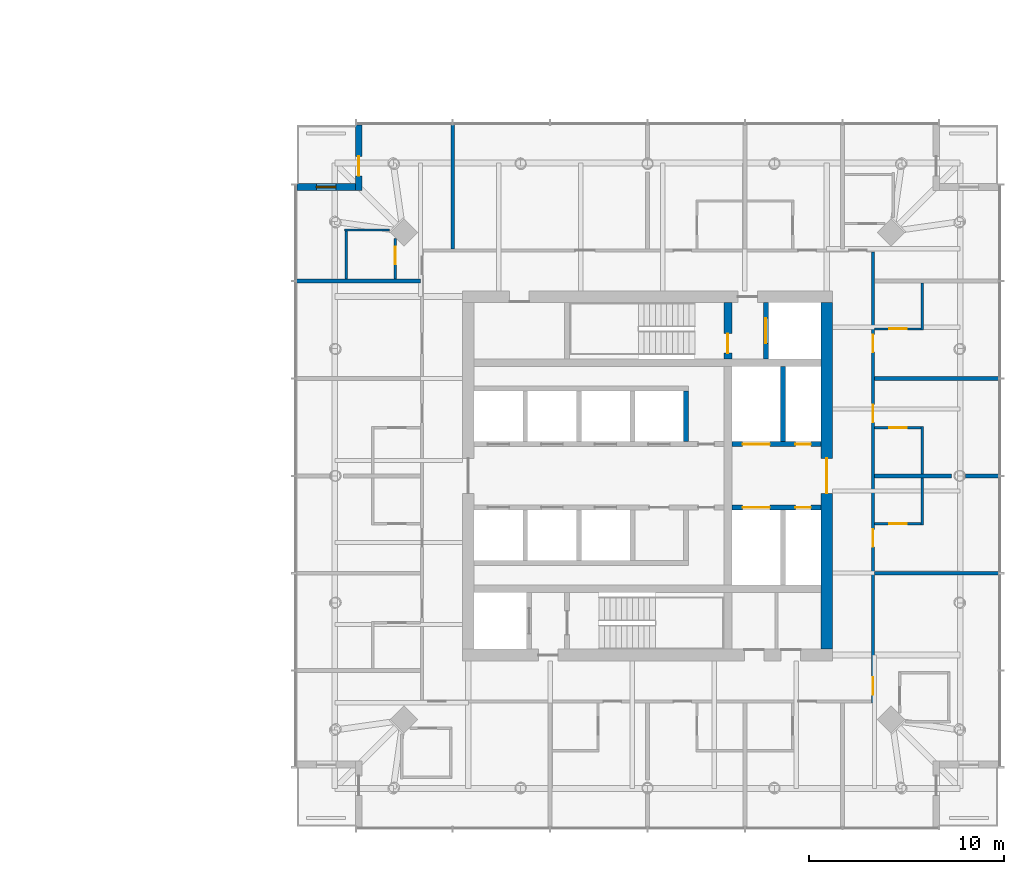
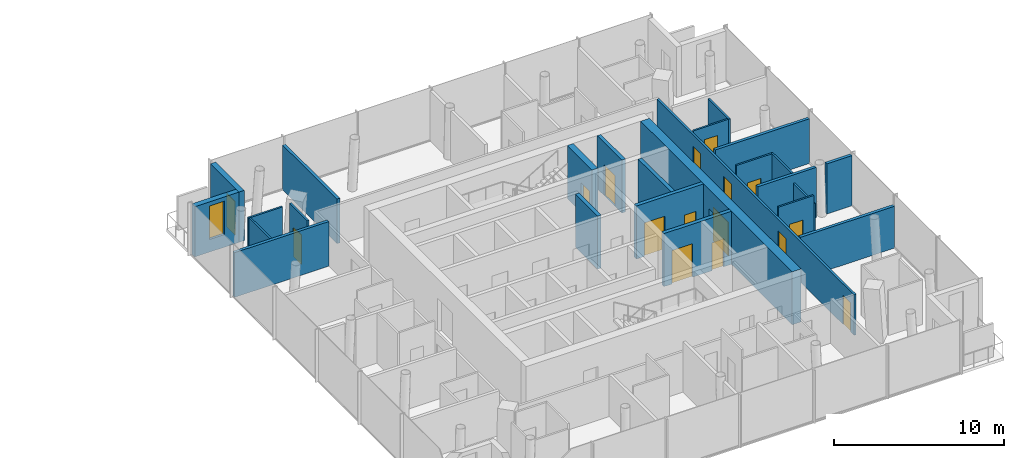
# One storey, part 15 of 27: 25 walls, 16 doors, 1 window, 17 openings.
"""IFC4 building model written with IfcOpenShell, lengths in metres."""

from ifc_helpers import new_model, si_unit, direction, frame, frame_2d, origin, place, context, subcontext, project, spatial, rectangle, extrude, material, layer, layer_set, type_object, element, fill, save


model = new_model("IFC4")

# Units and contexts
model_context = context("Model", 3, precision=1e-05, world=origin(), true_north=direction((0.0, 1.0)))
body_context = subcontext(model_context, "Body", "Model", "MODEL_VIEW")
ifc_project = project(units=[si_unit("LENGTHUNIT", "METRE"), si_unit("AREAUNIT", "SQUARE_METRE"), si_unit("VOLUMEUNIT", "CUBIC_METRE"), si_unit("PLANEANGLEUNIT", "RADIAN"), si_unit("MASSUNIT", "GRAM", prefix="KILO")], contexts=[model_context])

# Site, building, storey
site_placement = place(None, origin())
site = spatial("IfcSite", under=ifc_project, at=site_placement, CompositionType="ELEMENT")
building_placement = place(site_placement, origin())
building = spatial("IfcBuilding", under=site, at=building_placement, Name="Ostroluk Exchange", CompositionType="ELEMENT")
storey_placement = place(building_placement, frame((0.0, 0.0, 89.39990234375)))
storey = spatial("IfcBuildingStorey", under=building, at=storey_placement, Name="L22", CompositionType="ELEMENT", Elevation=89.39990234375)

# Wall, opening, door
ifc_material_1 = material(Name="Concrete C50/60", Category="concrete")
ifc_layer_1 = layer(ifc_material_1, 0.39990234375)
ifc_layer_set_1 = layer_set([ifc_layer_1], Name="Core cross wall 400 C50/60")
wall_type_1 = type_object("IfcWallType", Name="Core cross wall 400 C50/60", PredefinedType="SHEAR", material=ifc_layer_set_1)
wall_1_placement = place(storey_placement, frame((121.1298828125, 52.0, 0.0), z_axis=(0.0, 0.0, 1.0), x_axis=(0.0, 1.0, 0.0)))
wall_1 = element("IfcWall", 1, at=wall_1_placement, inside=storey, type_object=wall_type_1, Name="T2 core wall YE3", PredefinedType="SHEAR", context=body_context, shape_type="SweptSolid", body=[
    extrude(rectangle(XDim=2.89990234375, YDim=0.39990234375, at=frame_2d((1.449951171875, 0.0))), origin(), (0.0, 0.0, 1.0), 3.800048828125),
])
opening_1_placement = place(wall_1_placement, frame((0.300048828125, 0.0, 0.0)))
opening_1 = element("IfcOpeningElement", 2, at=opening_1_placement, cuts=wall_1, Name="Opening FD60", PredefinedType="OPENING", context=body_context, shape_type="SweptSolid", body=[
    extrude(rectangle(XDim=1.0, YDim=2.10009765625, at=frame_2d((0.5, 1.050048828125))), frame((0.0, 0.2099609375, 0.0), z_axis=(0.0, -1.0, 0.0), x_axis=(1.0, 0.0, 0.0)), (0.0, 0.0, 1.0), 0.419921875),
])
ifc_material_2 = material(Name="Steel", Category="steel")
door_type_1 = type_object("IfcDoorType", Name="Fire door EI 60 1000 x 2100", OperationType="SINGLE_SWING_LEFT", PredefinedType="DOOR", material=ifc_material_2)
door_1_placement = place(opening_1_placement, origin())
door_1 = element("IfcDoor", 3, at=door_1_placement, inside=storey, type_object=door_type_1, Name="Stair T2-S2 door", OperationType="SINGLE_SWING_LEFT", OverallHeight=2.10009765625, OverallWidth=1.0, PredefinedType="DOOR", context=body_context, shape_type="SweptSolid", body=[
    extrude(rectangle(XDim=1.0, YDim=2.10009765625, at=frame_2d((0.5, 1.050048828125))), frame((0.0, 0.02490234375, 0.0), z_axis=(0.0, -1.0, 0.0), x_axis=(1.0, 0.0, 0.0)), (0.0, 0.0, 1.0), 0.050048828125),
])
fill(opening_1, door_1)

ifc_material_3 = material(Name="Concrete C40/50", Category="concrete")
ifc_layer_2 = layer(ifc_material_3, 0.25)
ifc_layer_set_2 = layer_set([ifc_layer_2], Name="Core shaft wall 250")
wall_type_2 = type_object("IfcWallType", Name="Core shaft wall 250", PredefinedType="SHEAR", material=ifc_layer_set_2)
wall_2_placement = place(storey_placement, frame((123.074951171875, 52.0, 0.0), z_axis=(0.0, 0.0, 1.0), x_axis=(0.0, 1.0, 0.0)))
wall_2 = element("IfcWall", 4, at=wall_2_placement, inside=storey, type_object=wall_type_2, Name="Firefighting lift shaft wall", PredefinedType="SHEAR", context=body_context, shape_type="SweptSolid", body=[
    extrude(rectangle(XDim=2.89990234375, YDim=0.25, at=frame_2d((1.449951171875, 0.0))), origin(), (0.0, 0.0, 1.0), 3.800048828125),
])
opening_2_placement = place(wall_2_placement, frame((0.800048828125, 0.0, 0.0)))
opening_2 = element("IfcOpeningElement", 5, at=opening_2_placement, cuts=wall_2, Name="Opening LD2", PredefinedType="OPENING", context=body_context, shape_type="SweptSolid", body=[
    extrude(rectangle(XDim=1.300048828125, YDim=2.199951171875, at=frame_2d((0.64990234375, 1.10009765625))), frame((0.0, 0.135009765625, 0.0), z_axis=(0.0, -1.0, 0.0), x_axis=(1.0, 0.0, 0.0)), (0.0, 0.0, 1.0), 0.27001953125),
])
ifc_material_4 = material(Name="Stainless steel", Category="steel")
door_type_2 = type_object("IfcDoorType", Name="Lift landing door E 60 1300 x 2200", OperationType="DOUBLE_DOOR_SLIDING", PredefinedType="DOOR", material=ifc_material_4)
door_2_placement = place(opening_2_placement, origin())
door_2 = element("IfcDoor", 6, at=door_2_placement, inside=storey, type_object=door_type_2, Name="Lift HF2 landing door", OperationType="DOUBLE_DOOR_SLIDING", OverallHeight=2.199951171875, OverallWidth=1.300048828125, PredefinedType="DOOR", context=body_context, shape_type="SweptSolid", body=[
    extrude(rectangle(XDim=1.300048828125, YDim=2.199951171875, at=frame_2d((0.64990234375, 1.10009765625))), frame((0.0, 0.02490234375, 0.0), z_axis=(0.0, -1.0, 0.0), x_axis=(1.0, 0.0, 0.0)), (0.0, 0.0, 1.0), 0.050048828125),
])
fill(opening_2, door_2)

# Walls
wall_3_placement = place(storey_placement, frame((118.97509765625, 47.75, 0.0), z_axis=(0.0, 0.0, 1.0), x_axis=(0.0, 1.0, 0.0)))
element("IfcWall", 7, at=wall_3_placement, inside=storey, type_object=wall_type_2, Name="Lift shaft wall", PredefinedType="SHEAR", context=body_context, shape_type="SweptSolid", body=[
    extrude(rectangle(XDim=2.60009765625, YDim=0.25, at=frame_2d((1.300048828125, 0.0))), origin(), (0.0, 0.0, 1.0), 3.800048828125),
])
wall_4_placement = place(storey_placement, frame((123.955078125, 47.75, 0.0), z_axis=(0.0, 0.0, 1.0), x_axis=(0.0, 1.0, 0.0)))
element("IfcWall", 8, at=wall_4_placement, inside=storey, type_object=wall_type_2, Name="Lift shaft wall", PredefinedType="SHEAR", context=body_context, shape_type="SweptSolid", body=[
    extrude(rectangle(XDim=3.85009765625, YDim=0.25, at=frame_2d((1.925048828125, 0.0))), origin(), (0.0, 0.0, 1.0), 3.800048828125),
])

# Wall, openings, doors
wall_5_placement = place(storey_placement, frame((121.330078125, 47.625, 0.0), z_axis=(0.0, 0.0, 1.0), x_axis=(1.0, 0.0, 0.0)))
wall_5 = element("IfcWall", 9, at=wall_5_placement, inside=storey, type_object=wall_type_2, Name="Lift shaft front wall", PredefinedType="SHEAR", context=body_context, shape_type="SweptSolid", body=[
    extrude(rectangle(XDim=4.56982421875, YDim=0.25, at=frame_2d((2.284912109375, 0.0))), origin(), (0.0, 0.0, 1.0), 3.800048828125),
])
opening_3_placement = place(wall_5_placement, frame((0.550048828125, 0.0, 0.0)))
opening_3 = element("IfcOpeningElement", 10, at=opening_3_placement, cuts=wall_5, Name="Opening LD3", PredefinedType="OPENING", context=body_context, shape_type="SweptSolid", body=[
    extrude(rectangle(XDim=1.39990234375, YDim=2.39990234375, at=frame_2d((0.699951171875, 1.199951171875))), frame((0.0, 0.135009765625, 0.0), z_axis=(0.0, -1.0, 0.0), x_axis=(1.0, 0.0, 0.0)), (0.0, 0.0, 1.0), 0.27001953125),
])
opening_4_placement = place(wall_5_placement, frame((3.260009765625, 0.0, 0.0)))
opening_4 = element("IfcOpeningElement", 11, at=opening_4_placement, cuts=wall_5, Name="Opening RD60", PredefinedType="OPENING", context=body_context, shape_type="SweptSolid", body=[
    extrude(rectangle(XDim=0.800048828125, YDim=2.0, at=frame_2d((0.39990234375, 1.0))), frame((0.0, 0.135009765625, 0.0), z_axis=(0.0, -1.0, 0.0), x_axis=(1.0, 0.0, 0.0)), (0.0, 0.0, 1.0), 0.27001953125),
])
ifc_material_5 = material(Name="Stainless steel", Category="steel")
door_type_3 = type_object("IfcDoorType", Name="Goods lift landing door E 60 1400 x 2400", OperationType="DOUBLE_DOOR_SLIDING", PredefinedType="DOOR", material=ifc_material_5)
door_3_placement = place(opening_3_placement, origin())
door_3 = element("IfcDoor", 12, at=door_3_placement, inside=storey, type_object=door_type_3, Name="Lift HS1 landing door", OperationType="DOUBLE_DOOR_SLIDING", OverallHeight=2.39990234375, OverallWidth=1.39990234375, PredefinedType="DOOR", context=body_context, shape_type="SweptSolid", body=[
    extrude(rectangle(XDim=1.39990234375, YDim=2.39990234375, at=frame_2d((0.699951171875, 1.199951171875))), frame((0.0, 0.02490234375, 0.0), z_axis=(0.0, -1.0, 0.0), x_axis=(1.0, 0.0, 0.0)), (0.0, 0.0, 1.0), 0.050048828125),
])
fill(opening_3, door_3)
ifc_material_6 = material(Name="Steel", Category="steel")
door_type_4 = type_object("IfcDoorType", Name="Riser access door EI 60 800 x 2000", OperationType="SINGLE_SWING_LEFT", PredefinedType="DOOR", material=ifc_material_6)
door_4_placement = place(opening_4_placement, origin())
door_4 = element("IfcDoor", 13, at=door_4_placement, inside=storey, type_object=door_type_4, Name="Riser access door", OperationType="SINGLE_SWING_RIGHT", OverallHeight=2.0, OverallWidth=0.800048828125, PredefinedType="DOOR", context=body_context, shape_type="SweptSolid", body=[
    extrude(rectangle(XDim=0.800048828125, YDim=2.0, at=frame_2d((0.39990234375, 1.0))), frame((0.0, 0.02490234375, 0.0), z_axis=(0.0, -1.0, 0.0), x_axis=(1.0, 0.0, 0.0)), (0.0, 0.0, 1.0), 0.050048828125),
])
fill(opening_4, door_4)

wall_6_placement = place(storey_placement, frame((121.330078125, 44.375, 0.0), z_axis=(0.0, 0.0, 1.0), x_axis=(1.0, 0.0, 0.0)))
wall_6 = element("IfcWall", 14, at=wall_6_placement, inside=storey, type_object=wall_type_2, Name="Lift shaft front wall", PredefinedType="SHEAR", context=body_context, shape_type="SweptSolid", body=[
    extrude(rectangle(XDim=4.56982421875, YDim=0.25, at=frame_2d((2.284912109375, 0.0))), origin(), (0.0, 0.0, 1.0), 3.800048828125),
])
opening_5_placement = place(wall_6_placement, frame((0.550048828125, 0.0, 0.0)))
opening_5 = element("IfcOpeningElement", 15, at=opening_5_placement, cuts=wall_6, Name="Opening LD3", PredefinedType="OPENING", context=body_context, shape_type="SweptSolid", body=[
    extrude(rectangle(XDim=1.39990234375, YDim=2.39990234375, at=frame_2d((0.699951171875, 1.199951171875))), frame((0.0, 0.135009765625, 0.0), z_axis=(0.0, -1.0, 0.0), x_axis=(1.0, 0.0, 0.0)), (0.0, 0.0, 1.0), 0.27001953125),
])
opening_6_placement = place(wall_6_placement, frame((3.260009765625, 0.0, 0.0)))
opening_6 = element("IfcOpeningElement", 16, at=opening_6_placement, cuts=wall_6, Name="Opening RD60", PredefinedType="OPENING", context=body_context, shape_type="SweptSolid", body=[
    extrude(rectangle(XDim=0.800048828125, YDim=2.0, at=frame_2d((0.39990234375, 1.0))), frame((0.0, 0.135009765625, 0.0), z_axis=(0.0, -1.0, 0.0), x_axis=(1.0, 0.0, 0.0)), (0.0, 0.0, 1.0), 0.27001953125),
])
door_5_placement = place(opening_5_placement, origin())
door_5 = element("IfcDoor", 17, at=door_5_placement, inside=storey, type_object=door_type_3, Name="Lift HS2 landing door", OperationType="DOUBLE_DOOR_SLIDING", OverallHeight=2.39990234375, OverallWidth=1.39990234375, PredefinedType="DOOR", context=body_context, shape_type="SweptSolid", body=[
    extrude(rectangle(XDim=1.39990234375, YDim=2.39990234375, at=frame_2d((0.699951171875, 1.199951171875))), frame((0.0, 0.02490234375, 0.0), z_axis=(0.0, -1.0, 0.0), x_axis=(1.0, 0.0, 0.0)), (0.0, 0.0, 1.0), 0.050048828125),
])
fill(opening_5, door_5)
door_6_placement = place(opening_6_placement, origin())
door_6 = element("IfcDoor", 18, at=door_6_placement, inside=storey, type_object=door_type_4, Name="Riser access door", OperationType="SINGLE_SWING_RIGHT", OverallHeight=2.0, OverallWidth=0.800048828125, PredefinedType="DOOR", context=body_context, shape_type="SweptSolid", body=[
    extrude(rectangle(XDim=0.800048828125, YDim=2.0, at=frame_2d((0.39990234375, 1.0))), frame((0.0, 0.02490234375, 0.0), z_axis=(0.0, -1.0, 0.0), x_axis=(1.0, 0.0, 0.0)), (0.0, 0.0, 1.0), 0.050048828125),
])
fill(opening_6, door_6)

# Wall, opening, door
ifc_material_7 = material(Name="Concrete C50/60", Category="concrete")
ifc_layer_3 = layer(ifc_material_7, 0.60009765625)
ifc_layer_set_3 = layer_set([ifc_layer_3], Name="Core wall 600 C50/60")
wall_type_3 = type_object("IfcWallType", Name="Core wall 600 C50/60", PredefinedType="SHEAR", material=ifc_layer_set_3)
wall_7_placement = place(storey_placement, frame((126.199951171875, 37.10009765625, 0.0), z_axis=(0.0, 0.0, 1.0), x_axis=(0.0, 1.0, 0.0)))
wall_7 = element("IfcWall", 19, at=wall_7_placement, inside=storey, type_object=wall_type_3, Name="T2 core wall E", PredefinedType="SHEAR", context=body_context, shape_type="SweptSolid", body=[
    extrude(rectangle(XDim=17.7998046875, YDim=0.60009765625, at=frame_2d((8.89990234375, 0.0))), origin(), (0.0, 0.0, 1.0), 3.800048828125),
])
opening_7_placement = place(wall_7_placement, frame((8.0, 0.0, 0.0)))
opening_7 = element("IfcOpeningElement", 20, at=opening_7_placement, cuts=wall_7, Name="Opening FD30D", PredefinedType="OPENING", context=body_context, shape_type="SweptSolid", body=[
    extrude(rectangle(XDim=1.800048828125, YDim=2.39990234375, at=frame_2d((0.89990234375, 1.199951171875))), frame((0.0, 0.31005859375, 0.0), z_axis=(0.0, -1.0, 0.0), x_axis=(1.0, 0.0, 0.0)), (0.0, 0.0, 1.0), 0.6201171875),
])
ifc_material_8 = material(Name="Timber", Category="wood")
door_type_5 = type_object("IfcDoorType", Name="Lobby double door EI 30 1800 x 2400", OperationType="DOUBLE_DOOR_SINGLE_SWING", PredefinedType="DOOR", material=ifc_material_8)
door_7_placement = place(opening_7_placement, origin())
door_7 = element("IfcDoor", 21, at=door_7_placement, inside=storey, type_object=door_type_5, Name="Lift lobby doors", OperationType="DOUBLE_DOOR_SINGLE_SWING", OverallHeight=2.39990234375, OverallWidth=1.800048828125, PredefinedType="DOOR", context=body_context, shape_type="SweptSolid", body=[
    extrude(rectangle(XDim=1.800048828125, YDim=2.39990234375, at=frame_2d((0.89990234375, 1.199951171875))), frame((0.0, 0.02490234375, 0.0), z_axis=(0.0, -1.0, 0.0), x_axis=(1.0, 0.0, 0.0)), (0.0, 0.0, 1.0), 0.050048828125),
])
fill(opening_7, door_7)

ifc_material_9 = material(Name="Limestone", Category="masonry")
ifc_layer_4 = layer(ifc_material_9, 0.35009765625)
ifc_layer_set_4 = layer_set([ifc_layer_4], Name="Limestone facade wall 350")
wall_type_4 = type_object("IfcWallType", Name="Limestone facade wall 350", PredefinedType="SOLIDWALL", material=ifc_layer_set_4)
wall_8_placement = place(storey_placement, frame((102.175048828125, 64.0, 0.0), z_axis=(0.0, 0.0, 1.0), x_axis=(0.0, -1.0, 0.0)))
wall_8 = element("IfcWall", 22, at=wall_8_placement, inside=storey, type_object=wall_type_4, Name="Hotel tower NW corner wall L22 a", PredefinedType="SOLIDWALL", context=body_context, shape_type="SweptSolid", body=[
    extrude(rectangle(XDim=3.35009765625, YDim=0.35009765625, at=frame_2d((1.675048828125, 0.0))), origin(), (0.0, 0.0, 1.0), 3.60009765625),
])
opening_8_placement = place(wall_8_placement, frame((1.60009765625, 0.0, 0.0)))
opening_8 = element("IfcOpeningElement", 23, at=opening_8_placement, cuts=wall_8, Name="Opening D-B1", PredefinedType="OPENING", context=body_context, shape_type="SweptSolid", body=[
    extrude(rectangle(XDim=1.0, YDim=2.39990234375, at=frame_2d((0.5, 1.199951171875))), frame((0.0, 0.18505859375, 0.0), z_axis=(0.0, -1.0, 0.0), x_axis=(1.0, 0.0, 0.0)), (0.0, 0.0, 1.0), 0.3701171875),
])
ifc_material_10 = material(Name="Bronze framed glazed door", Category="aluminium")
door_type_6 = type_object("IfcDoorType", Name="Balcony door 1000 x 2400", OperationType="SINGLE_SWING_LEFT", PredefinedType="DOOR", material=ifc_material_10)
door_8_placement = place(opening_8_placement, origin())
door_8 = element("IfcDoor", 24, at=door_8_placement, inside=storey, type_object=door_type_6, Name="Hotel tower NW balcony door L22", OperationType="SINGLE_SWING_RIGHT", OverallHeight=2.39990234375, OverallWidth=1.0, PredefinedType="DOOR", context=body_context, shape_type="SweptSolid", body=[
    extrude(rectangle(XDim=1.0, YDim=2.39990234375, at=frame_2d((0.5, 1.199951171875))), frame((0.0, 0.02490234375, 0.0), z_axis=(0.0, -1.0, 0.0), x_axis=(1.0, 0.0, 0.0)), (0.0, 0.0, 1.0), 0.050048828125),
])
fill(opening_8, door_8)

# Wall, opening, window
wall_9_placement = place(storey_placement, frame((102.0, 60.824951171875, 0.0), z_axis=(0.0, 0.0, 1.0), x_axis=(-1.0, 0.0, 0.0)))
wall_9 = element("IfcWall", 25, at=wall_9_placement, inside=storey, type_object=wall_type_4, Name="Hotel tower NW corner wall L22 b", PredefinedType="SOLIDWALL", context=body_context, shape_type="SweptSolid", body=[
    extrude(rectangle(XDim=3.0, YDim=0.35009765625, at=frame_2d((1.5, 0.0))), origin(), (0.0, 0.0, 1.0), 3.60009765625),
])
opening_9_placement = place(wall_9_placement, frame((1.0, 0.0, 0.89990234375)))
opening_9 = element("IfcOpeningElement", 26, at=opening_9_placement, cuts=wall_9, Name="Opening WN-L3", PredefinedType="OPENING", context=body_context, shape_type="SweptSolid", body=[
    extrude(rectangle(XDim=1.0, YDim=2.39990234375, at=frame_2d((0.5, 1.199951171875))), frame((0.0, 0.18505859375, 0.0), z_axis=(0.0, -1.0, 0.0), x_axis=(1.0, 0.0, 0.0)), (0.0, 0.0, 1.0), 0.3701171875),
])
ifc_material_11 = material(Name="Laminated clear glass", Category="glass")
window_type = type_object("IfcWindowType", Name="Hotel lancet window 1000 x 2400", PartitioningType="SINGLE_PANEL", PredefinedType="WINDOW", material=ifc_material_11)
window_placement = place(opening_9_placement, origin())
window = element("IfcWindow", 27, at=window_placement, inside=storey, type_object=window_type, Name="Hotel tower NW lancet window L22", OverallHeight=2.39990234375, OverallWidth=1.0, PartitioningType="SINGLE_PANEL", PredefinedType="WINDOW", context=body_context, shape_type="SweptSolid", body=[
    extrude(rectangle(XDim=1.0, YDim=2.39990234375, at=frame_2d((0.5, 1.199951171875))), frame((0.0, 0.030029296875, 0.0), z_axis=(0.0, -1.0, 0.0), x_axis=(1.0, 0.0, 0.0)), (0.0, 0.0, 1.0), 0.06005859375),
])
fill(opening_9, window)

# Wall
ifc_material_12 = material(Name="Gypsum plasterboard partition, moisture resistant", Category="gypsum")
ifc_layer_5 = layer(ifc_material_12, 0.1201171875)
ifc_layer_set_5 = layer_set([ifc_layer_5], Name="Plasterboard en-suite wall 120")
wall_type_5 = type_object("IfcWallType", Name="Plasterboard en-suite wall 120", PredefinedType="PARTITIONING", material=ifc_layer_set_5)
wall_10_placement = place(storey_placement, frame((131.110107421875, 43.47998046875, 0.0), z_axis=(0.0, 0.0, 1.0), x_axis=(0.0, 1.0, 0.0)))
element("IfcWall", 28, at=wall_10_placement, inside=storey, type_object=wall_type_5, Name="En-suite wall", PredefinedType="PARTITIONING", context=body_context, shape_type="SweptSolid", body=[
    extrude(rectangle(XDim=2.419921875, YDim=0.1201171875, at=frame_2d((1.2099609375, 0.0))), origin(), (0.0, 0.0, 1.0), 3.0),
])

# Wall, opening, door
wall_11_placement = place(storey_placement, frame((128.64990234375, 43.5400390625, 0.0), z_axis=(0.0, 0.0, 1.0), x_axis=(1.0, 0.0, 0.0)))
wall_11 = element("IfcWall", 29, at=wall_11_placement, inside=storey, type_object=wall_type_5, Name="En-suite wall", PredefinedType="PARTITIONING", context=body_context, shape_type="SweptSolid", body=[
    extrude(rectangle(XDim=2.400146484375, YDim=0.1201171875, at=frame_2d((1.2001953125, 0.0))), origin(), (0.0, 0.0, 1.0), 3.60009765625),
])
opening_10_placement = place(wall_11_placement, frame((0.75, 0.0, 0.0)))
opening_10 = element("IfcOpeningElement", 30, at=opening_10_placement, cuts=wall_11, Name="Opening D-02", PredefinedType="OPENING", context=body_context, shape_type="SweptSolid", body=[
    extrude(rectangle(XDim=0.89990234375, YDim=2.10009765625, at=frame_2d((0.449951171875, 1.050048828125))), frame((0.0, 0.070068359375, 0.0), z_axis=(0.0, -1.0, 0.0), x_axis=(1.0, 0.0, 0.0)), (0.0, 0.0, 1.0), 0.14013671875),
])
ifc_material_13 = material(Name="Timber", Category="wood")
door_type_7 = type_object("IfcDoorType", Name="En-suite door 900 x 2100", OperationType="SINGLE_SWING_LEFT", PredefinedType="DOOR", material=ifc_material_13)
door_9_placement = place(opening_10_placement, origin())
door_9 = element("IfcDoor", 31, at=door_9_placement, inside=storey, type_object=door_type_7, Name="En-suite door 2202", OperationType="SINGLE_SWING_LEFT", OverallHeight=2.10009765625, OverallWidth=0.89990234375, PredefinedType="DOOR", context=body_context, shape_type="SweptSolid", body=[
    extrude(rectangle(XDim=0.89990234375, YDim=2.10009765625, at=frame_2d((0.449951171875, 1.050048828125))), frame((0.0, 0.02490234375, 0.0), z_axis=(0.0, -1.0, 0.0), x_axis=(1.0, 0.0, 0.0)), (0.0, 0.0, 1.0), 0.050048828125),
])
fill(opening_10, door_9)

# Wall
wall_12_placement = place(storey_placement, frame((131.110107421875, 46.10009765625, 0.0), z_axis=(0.0, 0.0, 1.0), x_axis=(0.0, 1.0, 0.0)))
element("IfcWall", 32, at=wall_12_placement, inside=storey, type_object=wall_type_5, Name="En-suite wall", PredefinedType="PARTITIONING", context=body_context, shape_type="SweptSolid", body=[
    extrude(rectangle(XDim=2.419921875, YDim=0.1201171875, at=frame_2d((1.2099609375, 0.0))), origin(), (0.0, 0.0, 1.0), 3.60009765625),
])

# Wall, opening, door
wall_13_placement = place(storey_placement, frame((128.64990234375, 48.4599609375, 0.0), z_axis=(0.0, 0.0, 1.0), x_axis=(1.0, 0.0, 0.0)))
wall_13 = element("IfcWall", 33, at=wall_13_placement, inside=storey, type_object=wall_type_5, Name="En-suite wall", PredefinedType="PARTITIONING", context=body_context, shape_type="SweptSolid", body=[
    extrude(rectangle(XDim=2.400146484375, YDim=0.1201171875, at=frame_2d((1.2001953125, 0.0))), origin(), (0.0, 0.0, 1.0), 3.60009765625),
])
opening_11_placement = place(wall_13_placement, frame((0.75, 0.0, 0.0)))
opening_11 = element("IfcOpeningElement", 34, at=opening_11_placement, cuts=wall_13, Name="Opening D-02", PredefinedType="OPENING", context=body_context, shape_type="SweptSolid", body=[
    extrude(rectangle(XDim=0.89990234375, YDim=2.10009765625, at=frame_2d((0.449951171875, 1.050048828125))), frame((0.0, 0.070068359375, 0.0), z_axis=(0.0, -1.0, 0.0), x_axis=(1.0, 0.0, 0.0)), (0.0, 0.0, 1.0), 0.14013671875),
])
door_10_placement = place(opening_11_placement, origin())
door_10 = element("IfcDoor", 35, at=door_10_placement, inside=storey, type_object=door_type_7, Name="En-suite door 2203", OperationType="SINGLE_SWING_LEFT", OverallHeight=2.10009765625, OverallWidth=0.89990234375, PredefinedType="DOOR", context=body_context, shape_type="SweptSolid", body=[
    extrude(rectangle(XDim=0.89990234375, YDim=2.10009765625, at=frame_2d((0.449951171875, 1.050048828125))), frame((0.0, 0.02490234375, 0.0), z_axis=(0.0, -1.0, 0.0), x_axis=(1.0, 0.0, 0.0)), (0.0, 0.0, 1.0), 0.050048828125),
])
fill(opening_11, door_10)

# Wall
wall_14_placement = place(storey_placement, frame((131.110107421875, 53.47998046875, 0.0), z_axis=(0.0, 0.0, 1.0), x_axis=(0.0, 1.0, 0.0)))
element("IfcWall", 36, at=wall_14_placement, inside=storey, type_object=wall_type_5, Name="En-suite wall", PredefinedType="PARTITIONING", context=body_context, shape_type="SweptSolid", body=[
    extrude(rectangle(XDim=2.419921875, YDim=0.1201171875, at=frame_2d((1.2099609375, 0.0))), origin(), (0.0, 0.0, 1.0), 3.0),
])

# Wall, opening, door
wall_15_placement = place(storey_placement, frame((128.64990234375, 53.5400390625, 0.0), z_axis=(0.0, 0.0, 1.0), x_axis=(1.0, 0.0, 0.0)))
wall_15 = element("IfcWall", 37, at=wall_15_placement, inside=storey, type_object=wall_type_5, Name="En-suite wall", PredefinedType="PARTITIONING", context=body_context, shape_type="SweptSolid", body=[
    extrude(rectangle(XDim=2.400146484375, YDim=0.1201171875, at=frame_2d((1.2001953125, 0.0))), origin(), (0.0, 0.0, 1.0), 3.0),
])
opening_12_placement = place(wall_15_placement, frame((0.75, 0.0, 0.0)))
opening_12 = element("IfcOpeningElement", 38, at=opening_12_placement, cuts=wall_15, Name="Opening D-02", PredefinedType="OPENING", context=body_context, shape_type="SweptSolid", body=[
    extrude(rectangle(XDim=0.89990234375, YDim=2.10009765625, at=frame_2d((0.449951171875, 1.050048828125))), frame((0.0, 0.070068359375, 0.0), z_axis=(0.0, -1.0, 0.0), x_axis=(1.0, 0.0, 0.0)), (0.0, 0.0, 1.0), 0.14013671875),
])
door_11_placement = place(opening_12_placement, origin())
door_11 = element("IfcDoor", 39, at=door_11_placement, inside=storey, type_object=door_type_7, Name="En-suite door 2204", OperationType="SINGLE_SWING_LEFT", OverallHeight=2.10009765625, OverallWidth=0.89990234375, PredefinedType="DOOR", context=body_context, shape_type="SweptSolid", body=[
    extrude(rectangle(XDim=0.89990234375, YDim=2.10009765625, at=frame_2d((0.449951171875, 1.050048828125))), frame((0.0, 0.02490234375, 0.0), z_axis=(0.0, -1.0, 0.0), x_axis=(1.0, 0.0, 0.0)), (0.0, 0.0, 1.0), 0.050048828125),
])
fill(opening_12, door_11)

wall_16_placement = place(storey_placement, frame((104.050048828125, 56.10009765625, 0.0), z_axis=(0.0, 0.0, 1.0), x_axis=(0.0, 1.0, 0.0)))
wall_16 = element("IfcWall", 40, at=wall_16_placement, inside=storey, type_object=wall_type_5, Name="En-suite wall", PredefinedType="PARTITIONING", context=body_context, shape_type="SweptSolid", body=[
    extrude(rectangle(XDim=2.082763671875, YDim=0.1201171875, at=frame_2d((1.04150390625, 0.0))), origin(), (0.0, 0.0, 1.0), 3.60009765625),
])
opening_13_placement = place(wall_16_placement, frame((0.75, 0.0, 0.0)))
opening_13 = element("IfcOpeningElement", 41, at=opening_13_placement, cuts=wall_16, Name="Opening D-02", PredefinedType="OPENING", context=body_context, shape_type="SweptSolid", body=[
    extrude(rectangle(XDim=0.89990234375, YDim=2.10009765625, at=frame_2d((0.449951171875, 1.050048828125))), frame((0.0, 0.070068359375, 0.0), z_axis=(0.0, -1.0, 0.0), x_axis=(1.0, 0.0, 0.0)), (0.0, 0.0, 1.0), 0.14013671875),
])
door_12_placement = place(opening_13_placement, origin())
door_12 = element("IfcDoor", 42, at=door_12_placement, inside=storey, type_object=door_type_7, Name="En-suite door 2208", OperationType="SINGLE_SWING_RIGHT", OverallHeight=2.10009765625, OverallWidth=0.89990234375, PredefinedType="DOOR", context=body_context, shape_type="SweptSolid", body=[
    extrude(rectangle(XDim=0.89990234375, YDim=2.10009765625, at=frame_2d((0.449951171875, 1.050048828125))), frame((0.0, 0.02490234375, 0.0), z_axis=(0.0, -1.0, 0.0), x_axis=(1.0, 0.0, 0.0)), (0.0, 0.0, 1.0), 0.050048828125),
])
fill(opening_13, door_12)

# Walls
wall_17_placement = place(storey_placement, frame((101.530029296875, 56.10009765625, 0.0), z_axis=(0.0, 0.0, 1.0), x_axis=(0.0, 1.0, 0.0)))
element("IfcWall", 43, at=wall_17_placement, inside=storey, type_object=wall_type_5, Name="En-suite wall", PredefinedType="PARTITIONING", context=body_context, shape_type="SweptSolid", body=[
    extrude(rectangle(XDim=2.579833984375, YDim=0.1201171875, at=frame_2d((1.2900390625, 0.0))), origin(), (0.0, 0.0, 1.0), 3.2001953125),
])
wall_18_placement = place(storey_placement, frame((103.74951171875, 58.6201171875, 0.0), z_axis=(0.0, 0.0, 1.0), x_axis=(-1.0, 0.0, 0.0)))
element("IfcWall", 44, at=wall_18_placement, inside=storey, type_object=wall_type_5, Name="En-suite wall", PredefinedType="PARTITIONING", context=body_context, shape_type="SweptSolid", body=[
    extrude(rectangle(XDim=2.3095703125, YDim=0.1201171875, at=frame_2d((1.15478515625, 0.0))), origin(), (0.0, 0.0, 1.0), 3.2001953125),
])

# Wall, openings, doors
ifc_material_14 = material(Name="Gypsum plasterboard partition", Category="gypsum")
ifc_layer_6 = layer(ifc_material_14, 0.14990234375)
ifc_layer_set_6 = layer_set([ifc_layer_6], Name="Plasterboard partition 150")
wall_type_6 = type_object("IfcWallType", Name="Plasterboard partition 150", PredefinedType="PARTITIONING", material=ifc_layer_set_6)
wall_19_placement = place(storey_placement, frame((128.574951171875, 34.35009765625, 0.0), z_axis=(0.0, 0.0, 1.0), x_axis=(0.0, 1.0, 0.0)))
wall_19 = element("IfcWall", 45, at=wall_19_placement, inside=storey, type_object=wall_type_6, Name="Corridor wall", PredefinedType="PARTITIONING", context=body_context, shape_type="SweptSolid", body=[
    extrude(rectangle(XDim=23.14990234375, YDim=0.14990234375, at=frame_2d((11.574951171875, 0.0))), origin(), (0.0, 0.0, 1.0), 2.900146484375),
])
opening_14_placement = place(wall_19_placement, frame((0.39990234375, 0.0, 0.0)))
opening_14 = element("IfcOpeningElement", 46, at=opening_14_placement, cuts=wall_19, Name="Opening D-01", PredefinedType="OPENING", context=body_context, shape_type="SweptSolid", body=[
    extrude(rectangle(XDim=0.89990234375, YDim=2.10009765625, at=frame_2d((0.449951171875, 1.050048828125))), frame((0.0, 0.0849609375, 0.0), z_axis=(0.0, -1.0, 0.0), x_axis=(1.0, 0.0, 0.0)), (0.0, 0.0, 1.0), 0.169921875),
])
opening_15_placement = place(wall_19_placement, frame((8.0, 0.0, 0.0)))
opening_15 = element("IfcOpeningElement", 47, at=opening_15_placement, cuts=wall_19, Name="Opening D-01", PredefinedType="OPENING", context=body_context, shape_type="SweptSolid", body=[
    extrude(rectangle(XDim=0.89990234375, YDim=2.10009765625, at=frame_2d((0.449951171875, 1.050048828125))), frame((0.0, 0.0849609375, 0.0), z_axis=(0.0, -1.0, 0.0), x_axis=(1.0, 0.0, 0.0)), (0.0, 0.0, 1.0), 0.169921875),
])
opening_16_placement = place(wall_19_placement, frame((14.39990234375, 0.0, 0.0)))
opening_16 = element("IfcOpeningElement", 48, at=opening_16_placement, cuts=wall_19, Name="Opening D-01", PredefinedType="OPENING", context=body_context, shape_type="SweptSolid", body=[
    extrude(rectangle(XDim=0.89990234375, YDim=2.10009765625, at=frame_2d((0.449951171875, 1.050048828125))), frame((0.0, 0.0849609375, 0.0), z_axis=(0.0, -1.0, 0.0), x_axis=(1.0, 0.0, 0.0)), (0.0, 0.0, 1.0), 0.169921875),
])
opening_17_placement = place(wall_19_placement, frame((18.0, 0.0, 0.0)))
opening_17 = element("IfcOpeningElement", 49, at=opening_17_placement, cuts=wall_19, Name="Opening D-01", PredefinedType="OPENING", context=body_context, shape_type="SweptSolid", body=[
    extrude(rectangle(XDim=0.89990234375, YDim=2.10009765625, at=frame_2d((0.449951171875, 1.050048828125))), frame((0.0, 0.0849609375, 0.0), z_axis=(0.0, -1.0, 0.0), x_axis=(1.0, 0.0, 0.0)), (0.0, 0.0, 1.0), 0.169921875),
])
ifc_material_15 = material(Name="Timber", Category="wood")
door_type_8 = type_object("IfcDoorType", Name="Hotel room door EI 30 Sa 900 x 2100", OperationType="SINGLE_SWING_LEFT", PredefinedType="DOOR", material=ifc_material_15)
door_13_placement = place(opening_14_placement, origin())
door_13 = element("IfcDoor", 50, at=door_13_placement, inside=storey, type_object=door_type_8, Name="Room door 2201", OperationType="SINGLE_SWING_LEFT", OverallHeight=2.10009765625, OverallWidth=0.89990234375, PredefinedType="DOOR", context=body_context, shape_type="SweptSolid", body=[
    extrude(rectangle(XDim=0.89990234375, YDim=2.10009765625, at=frame_2d((0.449951171875, 1.050048828125))), frame((0.0, 0.02490234375, 0.0), z_axis=(0.0, -1.0, 0.0), x_axis=(1.0, 0.0, 0.0)), (0.0, 0.0, 1.0), 0.050048828125),
])
fill(opening_14, door_13)
door_14_placement = place(opening_15_placement, origin())
door_14 = element("IfcDoor", 51, at=door_14_placement, inside=storey, type_object=door_type_8, Name="Room door 2202", OperationType="SINGLE_SWING_LEFT", OverallHeight=2.10009765625, OverallWidth=0.89990234375, PredefinedType="DOOR", context=body_context, shape_type="SweptSolid", body=[
    extrude(rectangle(XDim=0.89990234375, YDim=2.10009765625, at=frame_2d((0.449951171875, 1.050048828125))), frame((0.0, 0.02490234375, 0.0), z_axis=(0.0, -1.0, 0.0), x_axis=(1.0, 0.0, 0.0)), (0.0, 0.0, 1.0), 0.050048828125),
])
fill(opening_15, door_14)
door_15_placement = place(opening_16_placement, origin())
door_15 = element("IfcDoor", 52, at=door_15_placement, inside=storey, type_object=door_type_8, Name="Room door 2203", OperationType="SINGLE_SWING_RIGHT", OverallHeight=2.10009765625, OverallWidth=0.89990234375, PredefinedType="DOOR", context=body_context, shape_type="SweptSolid", body=[
    extrude(rectangle(XDim=0.89990234375, YDim=2.10009765625, at=frame_2d((0.449951171875, 1.050048828125))), frame((0.0, 0.02490234375, 0.0), z_axis=(0.0, -1.0, 0.0), x_axis=(1.0, 0.0, 0.0)), (0.0, 0.0, 1.0), 0.050048828125),
])
fill(opening_16, door_15)
door_16_placement = place(opening_17_placement, origin())
door_16 = element("IfcDoor", 53, at=door_16_placement, inside=storey, type_object=door_type_8, Name="Room door 2204", OperationType="SINGLE_SWING_RIGHT", OverallHeight=2.10009765625, OverallWidth=0.89990234375, PredefinedType="DOOR", context=body_context, shape_type="SweptSolid", body=[
    extrude(rectangle(XDim=0.89990234375, YDim=2.10009765625, at=frame_2d((0.449951171875, 1.050048828125))), frame((0.0, 0.02490234375, 0.0), z_axis=(0.0, -1.0, 0.0), x_axis=(1.0, 0.0, 0.0)), (0.0, 0.0, 1.0), 0.050048828125),
])
fill(opening_17, door_16)

# Walls
ifc_material_16 = material(Name="Gypsum plasterboard partition", Category="gypsum")
ifc_layer_7 = layer(ifc_material_16, 0.199951171875)
ifc_layer_set_7 = layer_set([ifc_layer_7], Name="Plasterboard party wall 200")
wall_type_7 = type_object("IfcWallType", Name="Plasterboard party wall 200", PredefinedType="PARTITIONING", material=ifc_layer_set_7)
wall_20_placement = place(storey_placement, frame((128.64990234375, 41.0, 0.0), z_axis=(0.0, 0.0, 1.0), x_axis=(1.0, 0.0, 0.0)))
element("IfcWall", 54, at=wall_20_placement, inside=storey, type_object=wall_type_7, Name="Party wall", PredefinedType="PARTITIONING", context=body_context, shape_type="SweptSolid", body=[
    extrude(rectangle(XDim=6.39013671875, YDim=0.199951171875, at=frame_2d((3.195068359375, 0.0))), origin(), (0.0, 0.0, 1.0), 3.0),
])
wall_21_placement = place(storey_placement, frame((128.64990234375, 46.0, 0.0), z_axis=(0.0, 0.0, 1.0), x_axis=(1.0, 0.0, 0.0)))
element("IfcWall", 55, at=wall_21_placement, inside=storey, type_object=wall_type_7, Name="Party wall", PredefinedType="PARTITIONING", context=body_context, shape_type="SweptSolid", body=[
    extrude(rectangle(XDim=3.95849609375, YDim=0.199951171875, at=frame_2d((1.979248046875, 0.0))), origin(), (0.0, 0.0, 1.0), 3.60009765625),
])
wall_22_placement = place(storey_placement, frame((133.331298828125, 46.0, 0.0), z_axis=(0.0, 0.0, 1.0), x_axis=(1.0, 0.0, 0.0)))
element("IfcWall", 56, at=wall_22_placement, inside=storey, type_object=wall_type_7, Name="Party wall", PredefinedType="PARTITIONING", context=body_context, shape_type="SweptSolid", body=[
    extrude(rectangle(XDim=1.708740234375, YDim=0.199951171875, at=frame_2d((0.8544921875, 0.0))), origin(), (0.0, 0.0, 1.0), 3.60009765625),
])
for number, where, z_axis, x_axis, name in (
    (57, (128.64990234375, 51.0, 0.0), (0.0, 0.0, 1.0), (1.0, 0.0, 0.0), "Party wall"),
    (58, (107.0, 57.64990234375, 0.0), (0.0, 0.0, 1.0), (0.0, 1.0, 0.0), "Party wall"),
    (59, (105.35009765625, 56.0, 0.0), (0.0, 0.0, 1.0), (-1.0, 0.0, 0.0), "Party wall"),
):
    element("IfcWall", number, at=place(storey_placement, frame(where, z_axis=z_axis, x_axis=x_axis)), inside=storey, type_object=wall_type_7, Name=name, PredefinedType="PARTITIONING", context=body_context, shape_type="SweptSolid", body=[
        extrude(rectangle(XDim=6.39013671875, YDim=0.199951171875, at=frame_2d((3.195068359375, 0.0))), origin(), (0.0, 0.0, 1.0), 3.2001953125),
    ])

save(model, "model.ifc")
